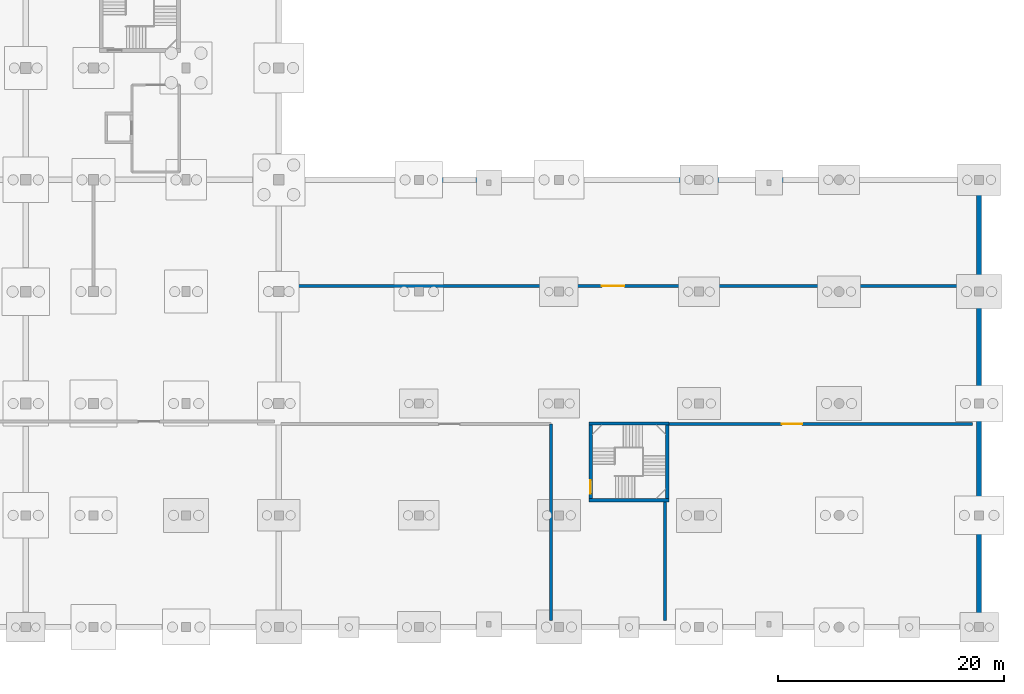
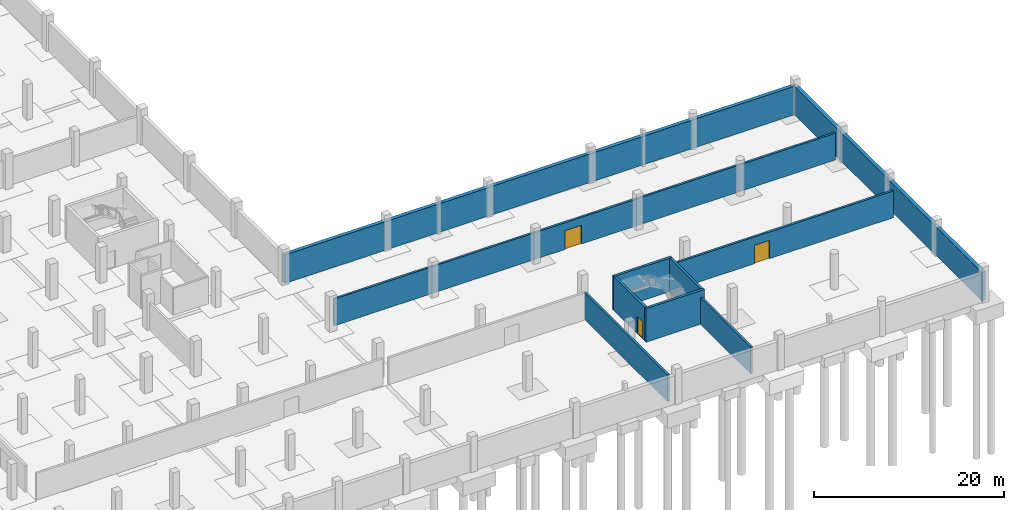
# One storey, part 18 of 30: 10 walls, 3 doors, 3 openings.
"""IFC4 building model written with IfcOpenShell, lengths in metres."""

from ifc_helpers import new_model, si_unit, direction, frame, frame_2d, origin, place, context, subcontext, project, spatial, rectangle, extrude, material, layer, layer_set, type_object, element, fill, save


model = new_model("IFC4")

# Units and contexts
model_context = context("Model", 3, precision=1e-05, world=origin(), true_north=direction((0.0, 1.0)))
body_context = subcontext(model_context, "Body", "Model", "MODEL_VIEW")
ifc_project = project(units=[si_unit("LENGTHUNIT", "METRE"), si_unit("AREAUNIT", "SQUARE_METRE"), si_unit("VOLUMEUNIT", "CUBIC_METRE"), si_unit("PLANEANGLEUNIT", "RADIAN"), si_unit("MASSUNIT", "GRAM", prefix="KILO")], contexts=[model_context])

# Site, building, storey
site_placement = place(None, origin())
site = spatial("IfcSite", under=ifc_project, at=site_placement, CompositionType="ELEMENT")
building_placement = place(site_placement, origin())
building = spatial("IfcBuilding", under=site, at=building_placement, Name="Sillaruma Civic Art Gallery", CompositionType="ELEMENT")
storey_placement = place(building_placement, frame((0.0, 0.0, -9.179931640625)))
storey = spatial("IfcBuildingStorey", under=building, at=storey_placement, Name="B02", CompositionType="ELEMENT", Elevation=-9.179931640625)

# Walls
ifc_material_1 = material(Name="Concrete H40 (40 MPa)", Category="concrete")
ifc_layer_1 = layer(ifc_material_1, 0.300048828125, Name="Concrete H40 (40 MPa)")
ifc_layer_set_1 = layer_set([ifc_layer_1], Name="Concrete H40 (40 MPa)")
wall_type_1 = type_object("IfcWallType", Name="WAL-CORE-300", PredefinedType="SHEAR", material=ifc_layer_set_1)
for number, where, z_axis, x_axis, name in (
    (1, (141.860107421875, 11.25, 0.0), (0.0, 0.0, 1.0), (1.0, 0.0, 0.0), "Stair Core Shear Wall W-CORE-300 (ST-05:B02:S)"),
    (2, (141.860107421875, 18.030029296875, 0.0), (0.0, 0.0, 1.0), (1.0, 0.0, 0.0), "Stair Core Shear Wall W-CORE-300 (ST-05:B02:N)"),
):
    element("IfcWall", number, at=place(storey_placement, frame(where, z_axis=z_axis, x_axis=x_axis)), inside=storey, type_object=wall_type_1, Name=name, PredefinedType="SHEAR", context=body_context, shape_type="SweptSolid", body=[
        extrude(rectangle(XDim=7.079833984375, YDim=0.300048828125, at=frame_2d((3.5400390625, 0.0))), origin(), (0.0, 0.0, 1.0), 4.309814453125),
    ])

# Wall, opening, door
wall_1_placement = place(storey_placement, frame((142.010009765625, 11.39990234375, 0.0), z_axis=(0.0, 0.0, 1.0), x_axis=(0.0, 1.0, 0.0)))
wall_1 = element("IfcWall", 3, at=wall_1_placement, inside=storey, type_object=wall_type_1, Name="Stair Core Shear Wall W-CORE-300 (ST-05:B02:W)", PredefinedType="SHEAR", context=body_context, shape_type="SweptSolid", body=[
    extrude(rectangle(XDim=6.47998046875, YDim=0.300048828125, at=frame_2d((3.239990234375, 0.0))), origin(), (0.0, 0.0, 1.0), 4.309814453125),
])
opening_1_placement = place(wall_1_placement, frame((0.419921875, 0.0, 0.0)))
opening_1 = element("IfcOpeningElement", 4, at=opening_1_placement, cuts=wall_1, Name="Opening D-STAIR", PredefinedType="OPENING", context=body_context, shape_type="SweptSolid", body=[
    extrude(rectangle(XDim=1.199951171875, YDim=2.199951171875, at=frame_2d((0.60009765625, 1.10009765625))), frame((0.0, 0.159912109375, 0.0), z_axis=(0.0, -1.0, 0.0), x_axis=(1.0, 0.0, 0.0)), (0.0, 0.0, 1.0), 0.320068359375),
])
ifc_material_2 = material(Name="Galvanised Steel ASTM A653 Gr.50", Category="steel")
door_type_1 = type_object("IfcDoorType", Name="DOR-STAIR-120", OperationType="NOTDEFINED", PredefinedType="DOOR", material=ifc_material_2)
door_1_placement = place(opening_1_placement, frame((1.199951171875, 0.0, 0.0), z_axis=(0.0, 0.0, 1.0), x_axis=(-1.0, 0.0, 0.0)))
door_1 = element("IfcDoor", 5, at=door_1_placement, inside=storey, type_object=door_type_1, Name="Protected Stair Fire Door (ST-05:B02)", OperationType="SINGLE_SWING_LEFT", OverallHeight=2.199951171875, OverallWidth=1.199951171875, PredefinedType="DOOR", context=body_context, shape_type="SweptSolid", body=[
    extrude(rectangle(XDim=1.199951171875, YDim=2.199951171875, at=frame_2d((0.60009765625, 1.10009765625))), frame((0.0, 0.02490234375, 0.0), z_axis=(0.0, -1.0, 0.0), x_axis=(1.0, 0.0, 0.0)), (0.0, 0.0, 1.0), 0.050048828125),
])
fill(opening_1, door_1)

# Walls
wall_2_placement = place(storey_placement, frame((148.7900390625, 11.39990234375, 0.0), z_axis=(0.0, 0.0, 1.0), x_axis=(0.0, 1.0, 0.0)))
element("IfcWall", 6, at=wall_2_placement, inside=storey, type_object=wall_type_1, Name="Stair Core Shear Wall W-CORE-300 (ST-05:B02:E)", PredefinedType="SHEAR", context=body_context, shape_type="SweptSolid", body=[
    extrude(rectangle(XDim=6.47998046875, YDim=0.300048828125, at=frame_2d((3.239990234375, 0.0))), origin(), (0.0, 0.0, 1.0), 4.309814453125),
])
ifc_layer_2 = layer(ifc_material_1, 0.43994140625, Name="Concrete H40 (40 MPa)")
ifc_layer_set_2 = layer_set([ifc_layer_2], Name="Concrete H40 (40 MPa)")
wall_type_2 = type_object("IfcWallType", Name="WAL-RET-440", PredefinedType="USERDEFINED", material=ifc_layer_set_2)
wall_3_placement = place(storey_placement, frame((176.39990234375, 0.0, 0.0), z_axis=(0.0, 0.0, 1.0), x_axis=(0.0, 1.0, 0.0)))
element("IfcWall", 7, at=wall_3_placement, inside=storey, type_object=wall_type_2, Name="Exterior Wall W-RET-440 (RET-B02-02)", ObjectType="RETAININGWALL", PredefinedType="USERDEFINED", context=body_context, shape_type="SweptSolid", body=[
    extrude(rectangle(XDim=39.60009765625, YDim=0.43994140625, at=frame_2d((19.800048828125, 0.0))), origin(), (0.0, 0.0, 1.0), 3.659912109375),
])
wall_4_placement = place(storey_placement, frame((176.39990234375, 39.60009765625, 0.0), z_axis=(0.0, 0.0, 1.0), x_axis=(-1.0, 0.0, 0.0)))
element("IfcWall", 8, at=wall_4_placement, inside=storey, type_object=wall_type_2, Name="Exterior Wall W-RET-440 (RET-B02-03)", ObjectType="RETAININGWALL", PredefinedType="USERDEFINED", context=body_context, shape_type="SweptSolid", body=[
    extrude(rectangle(XDim=62.0, YDim=0.43994140625, at=frame_2d((31.0, 0.0))), origin(), (0.0, 0.0, 1.0), 3.659912109375),
])

# Wall, opening, door
ifc_material_3 = material(Name="Concrete Masonry Unit Grade M15", Category="masonry")
ifc_layer_3 = layer(ifc_material_3, 0.2548828125, Name="Concrete Masonry Unit Grade M15")
ifc_layer_set_3 = layer_set([ifc_layer_3], Name="Concrete Masonry Unit Grade M15")
wall_type_3 = type_object("IfcWallType", Name="WAL-STORE-250", PredefinedType="SOLIDWALL", material=ifc_layer_set_3)
wall_5_placement = place(storey_placement, frame((115.0, 30.199951171875, 0.0), z_axis=(0.0, 0.0, 1.0), x_axis=(1.0, 0.0, 0.0)))
wall_5 = element("IfcWall", 9, at=wall_5_placement, inside=storey, type_object=wall_type_3, Name="Interior Wall W-STORE-250 (B02-STRE1)", PredefinedType="SOLIDWALL", context=body_context, shape_type="SweptSolid", body=[
    extrude(rectangle(XDim=60.800048828125, YDim=0.2548828125, at=frame_2d((30.39990234375, 0.0))), origin(), (0.0, 0.0, 1.0), 3.429931640625),
])
opening_2_placement = place(wall_5_placement, frame((28.0, 0.0, 0.0)))
opening_2 = element("IfcOpeningElement", 10, at=opening_2_placement, cuts=wall_5, Name="Opening D-STORE", PredefinedType="OPENING", context=body_context, shape_type="SweptSolid", body=[
    extrude(rectangle(XDim=2.0, YDim=2.39990234375, at=frame_2d((1.0, 1.199951171875))), frame((0.0, 0.137451171875, 0.0), z_axis=(0.0, -1.0, 0.0), x_axis=(1.0, 0.0, 0.0)), (0.0, 0.0, 1.0), 0.27490234375),
])
door_type_2 = type_object("IfcDoorType", Name="DOR-STORE-200", OperationType="NOTDEFINED", PredefinedType="DOOR", material=ifc_material_2)
door_2_placement = place(opening_2_placement, origin())
door_2 = element("IfcDoor", 11, at=door_2_placement, inside=storey, type_object=door_type_2, Name="Archival Solander Art Store Door (D-STORE)", OperationType="DOUBLE_DOOR_SINGLE_SWING", OverallHeight=2.39990234375, OverallWidth=2.0, PredefinedType="DOOR", context=body_context, shape_type="SweptSolid", body=[
    extrude(rectangle(XDim=2.0, YDim=2.39990234375, at=frame_2d((1.0, 1.199951171875))), frame((0.0, 0.02490234375, 0.0), z_axis=(0.0, -1.0, 0.0), x_axis=(1.0, 0.0, 0.0)), (0.0, 0.0, 1.0), 0.050048828125),
])
fill(opening_2, door_2)

# Wall
wall_6_placement = place(storey_placement, frame((138.5, 0.60009765625, 0.0), z_axis=(0.0, 0.0, 1.0), x_axis=(0.0, 1.0, 0.0)))
element("IfcWall", 12, at=wall_6_placement, inside=storey, type_object=wall_type_3, Name="Interior Wall W-STORE-250 (B02-STRE2)", PredefinedType="SOLIDWALL", context=body_context, shape_type="SweptSolid", body=[
    extrude(rectangle(XDim=17.39990234375, YDim=0.2548828125, at=frame_2d((8.699951171875, 0.0))), origin(), (0.0, 0.0, 1.0), 3.429931640625),
])

# Wall, opening, door
wall_7_placement = place(storey_placement, frame((148.93994140625, 18.0, 0.0), z_axis=(0.0, 0.0, 1.0), x_axis=(1.0, 0.0, 0.0)))
wall_7 = element("IfcWall", 13, at=wall_7_placement, inside=storey, type_object=wall_type_3, Name="Interior Wall W-STORE-250 (B02-STRE3)", PredefinedType="SOLIDWALL", context=body_context, shape_type="SweptSolid", body=[
    extrude(rectangle(XDim=26.860107421875, YDim=0.2548828125, at=frame_2d((13.43017578125, 0.0))), origin(), (0.0, 0.0, 1.0), 3.429931640625),
])
opening_3_placement = place(wall_7_placement, frame((10.0, 0.0, 0.0)))
opening_3 = element("IfcOpeningElement", 14, at=opening_3_placement, cuts=wall_7, Name="Opening D-STR18", PredefinedType="OPENING", context=body_context, shape_type="SweptSolid", body=[
    extrude(rectangle(XDim=1.800048828125, YDim=2.35009765625, at=frame_2d((0.89990234375, 1.175048828125))), frame((0.0, 0.137451171875, 0.0), z_axis=(0.0, -1.0, 0.0), x_axis=(1.0, 0.0, 0.0)), (0.0, 0.0, 1.0), 0.27490234375),
])
door_type_3 = type_object("IfcDoorType", Name="DOR-STORE-180", OperationType="NOTDEFINED", PredefinedType="DOOR", material=ifc_material_2)
door_3_placement = place(opening_3_placement, origin())
door_3 = element("IfcDoor", 15, at=door_3_placement, inside=storey, type_object=door_type_3, Name="East Vault Art Store Door (D-STR18)", OperationType="DOUBLE_DOOR_SINGLE_SWING", OverallHeight=2.35009765625, OverallWidth=1.800048828125, PredefinedType="DOOR", context=body_context, shape_type="SweptSolid", body=[
    extrude(rectangle(XDim=1.800048828125, YDim=2.35009765625, at=frame_2d((0.89990234375, 1.175048828125))), frame((0.0, 0.02490234375, 0.0), z_axis=(0.0, -1.0, 0.0), x_axis=(1.0, 0.0, 0.0)), (0.0, 0.0, 1.0), 0.050048828125),
])
fill(opening_3, door_3)

# Wall
wall_8_placement = place(storey_placement, frame((148.60009765625, 0.60009765625, 0.0), z_axis=(0.0, 0.0, 1.0), x_axis=(0.0, 1.0, 0.0)))
element("IfcWall", 16, at=wall_8_placement, inside=storey, type_object=wall_type_3, Name="Interior Wall W-STORE-250 (B02-STRE3)", PredefinedType="SOLIDWALL", context=body_context, shape_type="SweptSolid", body=[
    extrude(rectangle(XDim=10.5, YDim=0.2548828125, at=frame_2d((5.25, 0.0))), origin(), (0.0, 0.0, 1.0), 3.429931640625),
])

save(model, "model.ifc")
